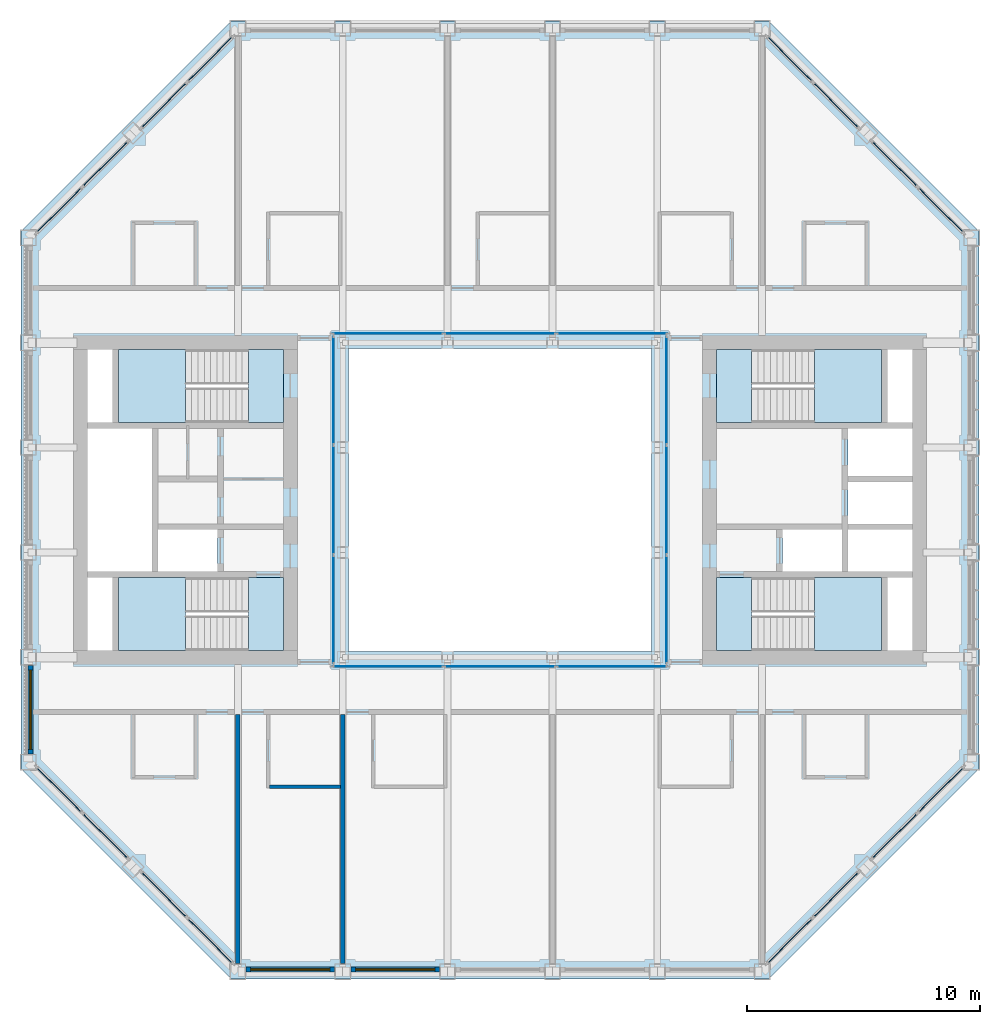
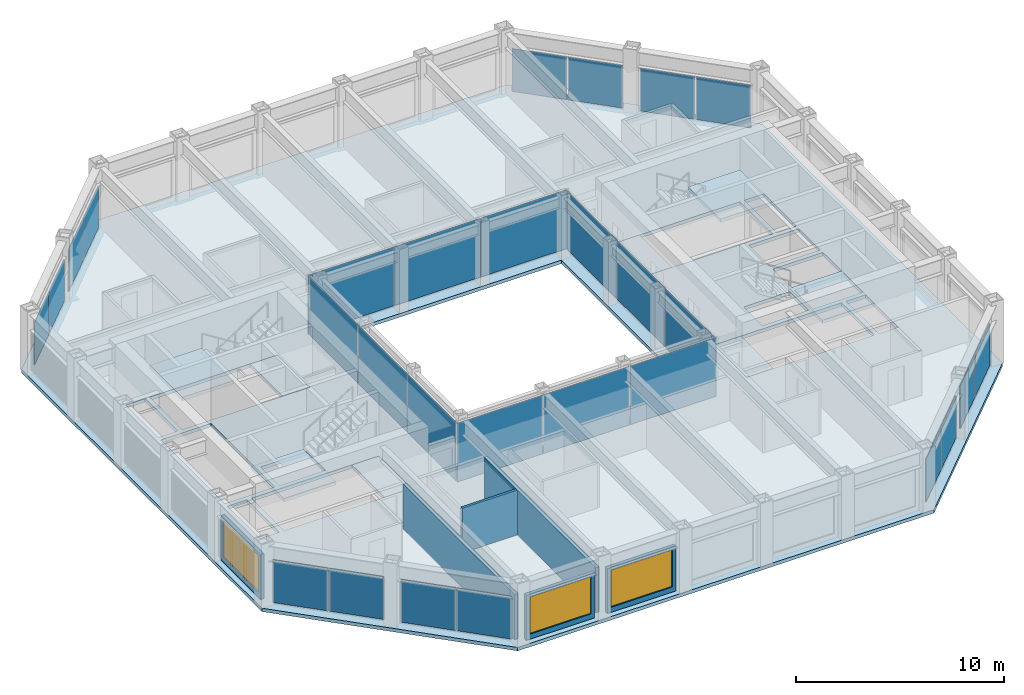
# One storey, part 8 of 16: 28 plates, 9 slabs, 6 walls, 3 windows, 3 openings, 16 elements without a shape of their own.
"""IFC4 building model written with IfcOpenShell, lengths in metres."""

from ifc_helpers import new_model, si_unit, direction, frame, frame_2d, origin, origin_2d, place, context, subcontext, project, spatial, polyline, rectangle, outline, extrude, material, layer, layer_set, type_object, element, fill, aggregate, save


model = new_model("IFC4")

# Units and contexts
model_context = context("Model", 3, precision=1e-05, world=origin(), true_north=direction((0.0, 1.0)))
body_context = subcontext(model_context, "Body", "Model", "MODEL_VIEW")
ifc_project = project(units=[si_unit("LENGTHUNIT", "METRE"), si_unit("AREAUNIT", "SQUARE_METRE"), si_unit("VOLUMEUNIT", "CUBIC_METRE"), si_unit("PLANEANGLEUNIT", "RADIAN"), si_unit("MASSUNIT", "GRAM", prefix="KILO")], contexts=[model_context])

# Site, building, storey
site_placement = place(None, origin())
site = spatial("IfcSite", under=ifc_project, at=site_placement, CompositionType="ELEMENT")
building_placement = place(site_placement, origin())
building = spatial("IfcBuilding", under=site, at=building_placement, Name="Msasa Ring Tower", CompositionType="ELEMENT")
storey_placement = place(building_placement, frame((0.0, 0.0, 219.550048828125)))
storey = spatial("IfcBuildingStorey", under=building, at=storey_placement, Name="L57", CompositionType="ELEMENT", Elevation=219.550048828125)

# Curtain wall, plates
ifc_material_1 = material(Name="Aluminium curtain wall with clear glass", Category="aluminium")
curtain_wall_type_1 = type_object("IfcCurtainWallType", Name="CW-C CHAMFER CORNER CURTAIN WALL", PredefinedType="NOTDEFINED", material=ifc_material_1)
curtain_wall_1_placement = place(storey_placement, origin())
curtain_wall_1 = element("IfcCurtainWall", 1, at=curtain_wall_1_placement, inside=storey, type_object=curtain_wall_type_1, Name="Chamfer corner curtain wall SE L57", PredefinedType="NOTDEFINED")
ifc_material_2 = material(Name="Clear laminated insulating glass unit", Category="glass")
ifc_layer_1 = layer(ifc_material_2, 0.031982421875)
ifc_layer_set_1 = layer_set([ifc_layer_1], Name="CW-C GLASS PANEL 32")
plate_type_1 = type_object("IfcPlateType", Name="CW-C GLASS PANEL 32", PredefinedType="CURTAIN_PANEL", material=ifc_layer_set_1)
plate_1_placement = place(storey_placement, frame((12.44140625, -18.917236328125, 0.06494140625), z_axis=(0.0, 0.0, 1.0), x_axis=(0.707106781187, 0.707106781187, 0.0)))
plate_1 = element("IfcPlate", 2, at=plate_1_placement, type_object=plate_type_1, Name="CW-C panel 1.1", PredefinedType="CURTAIN_PANEL", context=body_context, shape_type="SweptSolid", body=[
    extrude(rectangle(XDim=2.7294921875, YDim=0.031982421875, at=origin_2d()), origin(), (0.0, 0.0, 1.0), 2.4990234375),
])
plate_2_placement = place(storey_placement, frame((14.417236328125, -16.94140625, 0.06494140625), z_axis=(0.0, 0.0, 1.0), x_axis=(0.707106781187, 0.707106781187, 0.0)))
plate_2 = element("IfcPlate", 3, at=plate_2_placement, type_object=plate_type_1, Name="CW-C panel 2.1", PredefinedType="CURTAIN_PANEL", context=body_context, shape_type="SweptSolid", body=[
    extrude(rectangle(XDim=2.7294921875, YDim=0.031982421875, at=origin_2d()), origin(), (0.0, 0.0, 1.0), 2.4990234375),
])
aggregate(curtain_wall_1, [plate_1, plate_2])

curtain_wall_2_placement = place(storey_placement, origin())
curtain_wall_2 = element("IfcCurtainWall", 4, at=curtain_wall_2_placement, inside=storey, type_object=curtain_wall_type_1, Name="Chamfer corner curtain wall SE L57", PredefinedType="NOTDEFINED")
plate_3_placement = place(storey_placement, frame((16.94140625, -14.417236328125, 0.06494140625), z_axis=(0.0, 0.0, 1.0), x_axis=(0.707106781187, 0.707106781187, 0.0)))
plate_3 = element("IfcPlate", 5, at=plate_3_placement, type_object=plate_type_1, Name="CW-C panel 1.1", PredefinedType="CURTAIN_PANEL", context=body_context, shape_type="SweptSolid", body=[
    extrude(rectangle(XDim=2.7294921875, YDim=0.031982421875, at=origin_2d()), origin(), (0.0, 0.0, 1.0), 2.4990234375),
])
plate_4_placement = place(storey_placement, frame((18.917236328125, -12.44140625, 0.06494140625), z_axis=(0.0, 0.0, 1.0), x_axis=(0.707106781187, 0.707106781187, 0.0)))
plate_4 = element("IfcPlate", 6, at=plate_4_placement, type_object=plate_type_1, Name="CW-C panel 2.1", PredefinedType="CURTAIN_PANEL", context=body_context, shape_type="SweptSolid", body=[
    extrude(rectangle(XDim=2.7294921875, YDim=0.031982421875, at=origin_2d()), origin(), (0.0, 0.0, 1.0), 2.4990234375),
])
aggregate(curtain_wall_2, [plate_3, plate_4])

curtain_wall_3_placement = place(storey_placement, origin())
curtain_wall_3 = element("IfcCurtainWall", 7, at=curtain_wall_3_placement, inside=storey, type_object=curtain_wall_type_1, Name="Chamfer corner curtain wall NE L57", PredefinedType="NOTDEFINED")
plate_5_placement = place(storey_placement, frame((14.417236328125, 16.94140625, 0.06494140625), z_axis=(0.0, 0.0, 1.0), x_axis=(-0.707106781187, 0.707106781187, 0.0)))
plate_5 = element("IfcPlate", 8, at=plate_5_placement, type_object=plate_type_1, Name="CW-C panel 1.1", PredefinedType="CURTAIN_PANEL", context=body_context, shape_type="SweptSolid", body=[
    extrude(rectangle(XDim=2.7294921875, YDim=0.031982421875, at=origin_2d()), origin(), (0.0, 0.0, 1.0), 2.4990234375),
])
plate_6_placement = place(storey_placement, frame((12.44140625, 18.917236328125, 0.06494140625), z_axis=(0.0, 0.0, 1.0), x_axis=(-0.707106781187, 0.707106781187, 0.0)))
plate_6 = element("IfcPlate", 9, at=plate_6_placement, type_object=plate_type_1, Name="CW-C panel 2.1", PredefinedType="CURTAIN_PANEL", context=body_context, shape_type="SweptSolid", body=[
    extrude(rectangle(XDim=2.7294921875, YDim=0.031982421875, at=origin_2d()), origin(), (0.0, 0.0, 1.0), 2.4990234375),
])
aggregate(curtain_wall_3, [plate_5, plate_6])

curtain_wall_4_placement = place(storey_placement, origin())
curtain_wall_4 = element("IfcCurtainWall", 10, at=curtain_wall_4_placement, inside=storey, type_object=curtain_wall_type_1, Name="Chamfer corner curtain wall NE L57", PredefinedType="NOTDEFINED")
plate_7_placement = place(storey_placement, frame((18.917236328125, 12.44140625, 0.06494140625), z_axis=(0.0, 0.0, 1.0), x_axis=(-0.707106781187, 0.707106781187, 0.0)))
plate_7 = element("IfcPlate", 11, at=plate_7_placement, type_object=plate_type_1, Name="CW-C panel 1.1", PredefinedType="CURTAIN_PANEL", context=body_context, shape_type="SweptSolid", body=[
    extrude(rectangle(XDim=2.7294921875, YDim=0.031982421875, at=origin_2d()), origin(), (0.0, 0.0, 1.0), 2.4990234375),
])
plate_8_placement = place(storey_placement, frame((16.94140625, 14.417236328125, 0.06494140625), z_axis=(0.0, 0.0, 1.0), x_axis=(-0.707106781187, 0.707106781187, 0.0)))
plate_8 = element("IfcPlate", 12, at=plate_8_placement, type_object=plate_type_1, Name="CW-C panel 2.1", PredefinedType="CURTAIN_PANEL", context=body_context, shape_type="SweptSolid", body=[
    extrude(rectangle(XDim=2.7294921875, YDim=0.031982421875, at=origin_2d()), origin(), (0.0, 0.0, 1.0), 2.4990234375),
])
aggregate(curtain_wall_4, [plate_7, plate_8])

curtain_wall_5_placement = place(storey_placement, origin())
curtain_wall_5 = element("IfcCurtainWall", 13, at=curtain_wall_5_placement, inside=storey, type_object=curtain_wall_type_1, Name="Chamfer corner curtain wall NW L57", PredefinedType="NOTDEFINED")
plate_9_placement = place(storey_placement, frame((-16.94140625, 14.417236328125, 0.06494140625), z_axis=(0.0, 0.0, 1.0), x_axis=(-0.707106781187, -0.707106781187, 0.0)))
plate_9 = element("IfcPlate", 14, at=plate_9_placement, type_object=plate_type_1, Name="CW-C panel 1.1", PredefinedType="CURTAIN_PANEL", context=body_context, shape_type="SweptSolid", body=[
    extrude(rectangle(XDim=2.7294921875, YDim=0.031982421875, at=origin_2d()), origin(), (0.0, 0.0, 1.0), 2.4990234375),
])
plate_10_placement = place(storey_placement, frame((-18.917236328125, 12.44140625, 0.06494140625), z_axis=(0.0, 0.0, 1.0), x_axis=(-0.707106781187, -0.707106781187, 0.0)))
plate_10 = element("IfcPlate", 15, at=plate_10_placement, type_object=plate_type_1, Name="CW-C panel 2.1", PredefinedType="CURTAIN_PANEL", context=body_context, shape_type="SweptSolid", body=[
    extrude(rectangle(XDim=2.7294921875, YDim=0.031982421875, at=origin_2d()), origin(), (0.0, 0.0, 1.0), 2.4990234375),
])
aggregate(curtain_wall_5, [plate_9, plate_10])

curtain_wall_6_placement = place(storey_placement, origin())
curtain_wall_6 = element("IfcCurtainWall", 16, at=curtain_wall_6_placement, inside=storey, type_object=curtain_wall_type_1, Name="Chamfer corner curtain wall NW L57", PredefinedType="NOTDEFINED")
plate_11_placement = place(storey_placement, frame((-12.44140625, 18.917236328125, 0.06494140625), z_axis=(0.0, 0.0, 1.0), x_axis=(-0.707106781187, -0.707106781187, 0.0)))
plate_11 = element("IfcPlate", 17, at=plate_11_placement, type_object=plate_type_1, Name="CW-C panel 1.1", PredefinedType="CURTAIN_PANEL", context=body_context, shape_type="SweptSolid", body=[
    extrude(rectangle(XDim=2.7294921875, YDim=0.031982421875, at=origin_2d()), origin(), (0.0, 0.0, 1.0), 2.4990234375),
])
plate_12_placement = place(storey_placement, frame((-14.417236328125, 16.94140625, 0.06494140625), z_axis=(0.0, 0.0, 1.0), x_axis=(-0.707106781187, -0.707106781187, 0.0)))
plate_12 = element("IfcPlate", 18, at=plate_12_placement, type_object=plate_type_1, Name="CW-C panel 2.1", PredefinedType="CURTAIN_PANEL", context=body_context, shape_type="SweptSolid", body=[
    extrude(rectangle(XDim=2.7294921875, YDim=0.031982421875, at=origin_2d()), origin(), (0.0, 0.0, 1.0), 2.4990234375),
])
aggregate(curtain_wall_6, [plate_11, plate_12])

curtain_wall_7_placement = place(storey_placement, origin())
curtain_wall_7 = element("IfcCurtainWall", 19, at=curtain_wall_7_placement, inside=storey, type_object=curtain_wall_type_1, Name="Chamfer corner curtain wall SW L57", PredefinedType="NOTDEFINED")
plate_13_placement = place(storey_placement, frame((-18.917236328125, -12.44140625, 0.06494140625), z_axis=(0.0, 0.0, 1.0), x_axis=(0.707106781187, -0.707106781187, 0.0)))
plate_13 = element("IfcPlate", 20, at=plate_13_placement, type_object=plate_type_1, Name="CW-C panel 1.1", PredefinedType="CURTAIN_PANEL", context=body_context, shape_type="SweptSolid", body=[
    extrude(rectangle(XDim=2.7294921875, YDim=0.031982421875, at=origin_2d()), origin(), (0.0, 0.0, 1.0), 2.4990234375),
])
plate_14_placement = place(storey_placement, frame((-16.94140625, -14.417236328125, 0.06494140625), z_axis=(0.0, 0.0, 1.0), x_axis=(0.707106781187, -0.707106781187, 0.0)))
plate_14 = element("IfcPlate", 21, at=plate_14_placement, type_object=plate_type_1, Name="CW-C panel 2.1", PredefinedType="CURTAIN_PANEL", context=body_context, shape_type="SweptSolid", body=[
    extrude(rectangle(XDim=2.7294921875, YDim=0.031982421875, at=origin_2d()), origin(), (0.0, 0.0, 1.0), 2.4990234375),
])
aggregate(curtain_wall_7, [plate_13, plate_14])

curtain_wall_8_placement = place(storey_placement, origin())
curtain_wall_8 = element("IfcCurtainWall", 22, at=curtain_wall_8_placement, inside=storey, type_object=curtain_wall_type_1, Name="Chamfer corner curtain wall SW L57", PredefinedType="NOTDEFINED")
plate_15_placement = place(storey_placement, frame((-14.417236328125, -16.94140625, 0.06494140625), z_axis=(0.0, 0.0, 1.0), x_axis=(0.707106781187, -0.707106781187, 0.0)))
plate_15 = element("IfcPlate", 23, at=plate_15_placement, type_object=plate_type_1, Name="CW-C panel 1.1", PredefinedType="CURTAIN_PANEL", context=body_context, shape_type="SweptSolid", body=[
    extrude(rectangle(XDim=2.7294921875, YDim=0.031982421875, at=origin_2d()), origin(), (0.0, 0.0, 1.0), 2.4990234375),
])
plate_16_placement = place(storey_placement, frame((-12.44140625, -18.917236328125, 0.06494140625), z_axis=(0.0, 0.0, 1.0), x_axis=(0.707106781187, -0.707106781187, 0.0)))
plate_16 = element("IfcPlate", 24, at=plate_16_placement, type_object=plate_type_1, Name="CW-C panel 2.1", PredefinedType="CURTAIN_PANEL", context=body_context, shape_type="SweptSolid", body=[
    extrude(rectangle(XDim=2.7294921875, YDim=0.031982421875, at=origin_2d()), origin(), (0.0, 0.0, 1.0), 2.4990234375),
])
aggregate(curtain_wall_8, [plate_15, plate_16])

ifc_material_3 = material(Name="Aluminium curtain wall with clear glass", Category="aluminium")
curtain_wall_type_2 = type_object("IfcCurtainWallType", Name="CW-W LIGHT WELL CURTAIN WALL", PredefinedType="NOTDEFINED", material=ifc_material_3)
curtain_wall_9_placement = place(storey_placement, origin())
curtain_wall_9 = element("IfcCurtainWall", 25, at=curtain_wall_9_placement, inside=storey, type_object=curtain_wall_type_2, Name="Light well curtain wall N L57", PredefinedType="NOTDEFINED")
ifc_material_4 = material(Name="Clear laminated insulating glass unit", Category="glass")
ifc_layer_2 = layer(ifc_material_4, 0.028076171875)
ifc_layer_set_2 = layer_set([ifc_layer_2], Name="CW-W GLASS PANEL 28")
plate_type_2 = type_object("IfcPlateType", Name="CW-W GLASS PANEL 28", PredefinedType="CURTAIN_PANEL", material=ifc_layer_set_2)
plate_17_placement = place(storey_placement, frame((-4.804931640625, 7.14990234375, 0.06005859375), z_axis=(0.0, 0.0, 1.0), x_axis=(1.0, 0.0, 0.0)))
plate_17 = element("IfcPlate", 26, at=plate_17_placement, type_object=plate_type_2, Name="CW-W panel 1.1", PredefinedType="CURTAIN_PANEL", context=body_context, shape_type="SweptSolid", body=[
    extrude(rectangle(XDim=4.72998046875, YDim=0.028076171875, at=origin_2d()), origin(), (0.0, 0.0, 1.0), 3.429931640625),
])
plate_18_placement = place(storey_placement, frame((0.0, 7.14990234375, 0.06005859375), z_axis=(0.0, 0.0, 1.0), x_axis=(1.0, 0.0, 0.0)))
plate_18 = element("IfcPlate", 27, at=plate_18_placement, type_object=plate_type_2, Name="CW-W panel 2.1", PredefinedType="CURTAIN_PANEL", context=body_context, shape_type="SweptSolid", body=[
    extrude(rectangle(XDim=4.760009765625, YDim=0.028076171875, at=origin_2d()), origin(), (0.0, 0.0, 1.0), 3.429931640625),
])
plate_19_placement = place(storey_placement, frame((4.804931640625, 7.14990234375, 0.06005859375), z_axis=(0.0, 0.0, 1.0), x_axis=(1.0, 0.0, 0.0)))
plate_19 = element("IfcPlate", 28, at=plate_19_placement, type_object=plate_type_2, Name="CW-W panel 3.1", PredefinedType="CURTAIN_PANEL", context=body_context, shape_type="SweptSolid", body=[
    extrude(rectangle(XDim=4.72998046875, YDim=0.028076171875, at=origin_2d()), origin(), (0.0, 0.0, 1.0), 3.429931640625),
])
aggregate(curtain_wall_9, [plate_17, plate_18, plate_19])

curtain_wall_10_placement = place(storey_placement, origin())
curtain_wall_10 = element("IfcCurtainWall", 29, at=curtain_wall_10_placement, inside=storey, type_object=curtain_wall_type_2, Name="Light well curtain wall S L57", PredefinedType="NOTDEFINED")
plate_20_placement = place(storey_placement, frame((-4.804931640625, -7.14990234375, 0.06005859375), z_axis=(0.0, 0.0, 1.0), x_axis=(1.0, 0.0, 0.0)))
plate_20 = element("IfcPlate", 30, at=plate_20_placement, type_object=plate_type_2, Name="CW-W panel 1.1", PredefinedType="CURTAIN_PANEL", context=body_context, shape_type="SweptSolid", body=[
    extrude(rectangle(XDim=4.72998046875, YDim=0.028076171875, at=origin_2d()), origin(), (0.0, 0.0, 1.0), 3.429931640625),
])
plate_21_placement = place(storey_placement, frame((0.0, -7.14990234375, 0.06005859375), z_axis=(0.0, 0.0, 1.0), x_axis=(1.0, 0.0, 0.0)))
plate_21 = element("IfcPlate", 31, at=plate_21_placement, type_object=plate_type_2, Name="CW-W panel 2.1", PredefinedType="CURTAIN_PANEL", context=body_context, shape_type="SweptSolid", body=[
    extrude(rectangle(XDim=4.760009765625, YDim=0.028076171875, at=origin_2d()), origin(), (0.0, 0.0, 1.0), 3.429931640625),
])
plate_22_placement = place(storey_placement, frame((4.804931640625, -7.14990234375, 0.06005859375), z_axis=(0.0, 0.0, 1.0), x_axis=(1.0, 0.0, 0.0)))
plate_22 = element("IfcPlate", 32, at=plate_22_placement, type_object=plate_type_2, Name="CW-W panel 3.1", PredefinedType="CURTAIN_PANEL", context=body_context, shape_type="SweptSolid", body=[
    extrude(rectangle(XDim=4.72998046875, YDim=0.028076171875, at=origin_2d()), origin(), (0.0, 0.0, 1.0), 3.429931640625),
])
aggregate(curtain_wall_10, [plate_20, plate_21, plate_22])

curtain_wall_11_placement = place(storey_placement, origin())
curtain_wall_11 = element("IfcCurtainWall", 33, at=curtain_wall_11_placement, inside=storey, type_object=curtain_wall_type_2, Name="Light well curtain wall E L57", PredefinedType="NOTDEFINED")
plate_23_placement = place(storey_placement, frame((7.14990234375, -4.6982421875, 0.06005859375), z_axis=(0.0, 0.0, 1.0), x_axis=(0.0, 1.0, 0.0)))
plate_23 = element("IfcPlate", 34, at=plate_23_placement, type_object=plate_type_2, Name="CW-W panel 1.1", PredefinedType="CURTAIN_PANEL", context=body_context, shape_type="SweptSolid", body=[
    extrude(rectangle(XDim=4.623291015625, YDim=0.028076171875, at=origin_2d()), origin(), (0.0, 0.0, 1.0), 3.429931640625),
])
plate_24_placement = place(storey_placement, frame((7.14990234375, 0.0, 0.06005859375), z_axis=(0.0, 0.0, 1.0), x_axis=(0.0, 1.0, 0.0)))
plate_24 = element("IfcPlate", 35, at=plate_24_placement, type_object=plate_type_2, Name="CW-W panel 2.1", PredefinedType="CURTAIN_PANEL", context=body_context, shape_type="SweptSolid", body=[
    extrude(rectangle(XDim=4.6533203125, YDim=0.028076171875, at=origin_2d()), origin(), (0.0, 0.0, 1.0), 3.429931640625),
])
plate_25_placement = place(storey_placement, frame((7.14990234375, 4.6982421875, 0.06005859375), z_axis=(0.0, 0.0, 1.0), x_axis=(0.0, 1.0, 0.0)))
plate_25 = element("IfcPlate", 36, at=plate_25_placement, type_object=plate_type_2, Name="CW-W panel 3.1", PredefinedType="CURTAIN_PANEL", context=body_context, shape_type="SweptSolid", body=[
    extrude(rectangle(XDim=4.623291015625, YDim=0.028076171875, at=origin_2d()), origin(), (0.0, 0.0, 1.0), 3.429931640625),
])
aggregate(curtain_wall_11, [plate_23, plate_24, plate_25])

curtain_wall_12_placement = place(storey_placement, origin())
curtain_wall_12 = element("IfcCurtainWall", 37, at=curtain_wall_12_placement, inside=storey, type_object=curtain_wall_type_2, Name="Light well curtain wall W L57", PredefinedType="NOTDEFINED")
plate_26_placement = place(storey_placement, frame((-7.14990234375, -4.6982421875, 0.06005859375), z_axis=(0.0, 0.0, 1.0), x_axis=(0.0, 1.0, 0.0)))
plate_26 = element("IfcPlate", 38, at=plate_26_placement, type_object=plate_type_2, Name="CW-W panel 1.1", PredefinedType="CURTAIN_PANEL", context=body_context, shape_type="SweptSolid", body=[
    extrude(rectangle(XDim=4.623291015625, YDim=0.028076171875, at=origin_2d()), origin(), (0.0, 0.0, 1.0), 3.429931640625),
])
plate_27_placement = place(storey_placement, frame((-7.14990234375, 0.0, 0.06005859375), z_axis=(0.0, 0.0, 1.0), x_axis=(0.0, 1.0, 0.0)))
plate_27 = element("IfcPlate", 39, at=plate_27_placement, type_object=plate_type_2, Name="CW-W panel 2.1", PredefinedType="CURTAIN_PANEL", context=body_context, shape_type="SweptSolid", body=[
    extrude(rectangle(XDim=4.6533203125, YDim=0.028076171875, at=origin_2d()), origin(), (0.0, 0.0, 1.0), 3.429931640625),
])
plate_28_placement = place(storey_placement, frame((-7.14990234375, 4.6982421875, 0.06005859375), z_axis=(0.0, 0.0, 1.0), x_axis=(0.0, 1.0, 0.0)))
plate_28 = element("IfcPlate", 40, at=plate_28_placement, type_object=plate_type_2, Name="CW-W panel 3.1", PredefinedType="CURTAIN_PANEL", context=body_context, shape_type="SweptSolid", body=[
    extrude(rectangle(XDim=4.623291015625, YDim=0.028076171875, at=origin_2d()), origin(), (0.0, 0.0, 1.0), 3.429931640625),
])
aggregate(curtain_wall_12, [plate_26, plate_27, plate_28])

# Stair, slabs
ifc_material_5 = material(Name="Concrete C40/50", Category="concrete")
stair_type = type_object("IfcStairType", Name="STC CORE STAIR 22 RISERS 170.5", PredefinedType="HALF_TURN_STAIR", material=ifc_material_5)
stair_1_placement = place(storey_placement, origin())
stair_1 = element("IfcStair", 41, at=stair_1_placement, inside=storey, type_object=stair_type, Name="Core stair SEA L57", PredefinedType="HALF_TURN_STAIR")
ifc_material_6 = material(Name="Concrete C40/50", Category="concrete")
ifc_layer_3 = layer(ifc_material_6, 0.199951171875)
ifc_layer_set_3 = layer_set([ifc_layer_3], Name="LD1 CORE STAIR LANDING 200")
slab_type_1 = type_object("IfcSlabType", Name="LD1 CORE STAIR LANDING 200", PredefinedType="LANDING", material=ifc_layer_set_3)
slab_1_placement = place(storey_placement, frame((0.0, 0.0, -0.199951171875)))
slab_1 = element("IfcSlab", 42, at=slab_1_placement, type_object=slab_type_1, Name="SEA landing 1", PredefinedType="LANDING", context=body_context, shape_type="SweptSolid", body=[
    extrude(outline(polyline([(9.300048828125, -6.449951171875), (10.800048828125, -6.449951171875), (10.800048828125, -3.324951171875), (9.300048828125, -3.324951171875), (9.300048828125, -6.449951171875)])), origin(), (0.0, 0.0, 1.0), 0.199951171875),
])
slab_2_placement = place(storey_placement, frame((0.0, 0.0, 1.675048828125)))
slab_2 = element("IfcSlab", 43, at=slab_2_placement, type_object=slab_type_1, Name="SEA landing 2", PredefinedType="LANDING", context=body_context, shape_type="SweptSolid", body=[
    extrude(outline(polyline([(13.5, -6.449951171875), (16.375, -6.449951171875), (16.375, -3.324951171875), (13.5, -3.324951171875), (13.5, -6.449951171875)])), origin(), (0.0, 0.0, 1.0), 0.199951171875),
])
aggregate(stair_1, [slab_1, slab_2])

stair_2_placement = place(storey_placement, origin())
stair_2 = element("IfcStair", 44, at=stair_2_placement, inside=storey, type_object=stair_type, Name="Core stair SEB L57", PredefinedType="HALF_TURN_STAIR")
slab_3_placement = place(storey_placement, frame((0.0, 0.0, -0.199951171875)))
slab_3 = element("IfcSlab", 45, at=slab_3_placement, type_object=slab_type_1, Name="SEB landing 1", PredefinedType="LANDING", context=body_context, shape_type="SweptSolid", body=[
    extrude(outline(polyline([(9.300048828125, 3.324951171875), (10.800048828125, 3.324951171875), (10.800048828125, 6.449951171875), (9.300048828125, 6.449951171875), (9.300048828125, 3.324951171875)])), origin(), (0.0, 0.0, 1.0), 0.199951171875),
])
slab_4_placement = place(storey_placement, frame((0.0, 0.0, 1.675048828125)))
slab_4 = element("IfcSlab", 46, at=slab_4_placement, type_object=slab_type_1, Name="SEB landing 2", PredefinedType="LANDING", context=body_context, shape_type="SweptSolid", body=[
    extrude(outline(polyline([(13.5, 3.324951171875), (16.375, 3.324951171875), (16.375, 6.449951171875), (13.5, 6.449951171875), (13.5, 3.324951171875)])), origin(), (0.0, 0.0, 1.0), 0.199951171875),
])
aggregate(stair_2, [slab_3, slab_4])

stair_3_placement = place(storey_placement, origin())
stair_3 = element("IfcStair", 47, at=stair_3_placement, inside=storey, type_object=stair_type, Name="Core stair SWA L57", PredefinedType="HALF_TURN_STAIR")
slab_5_placement = place(storey_placement, frame((0.0, 0.0, -0.199951171875)))
slab_5 = element("IfcSlab", 48, at=slab_5_placement, type_object=slab_type_1, Name="SWA landing 1", PredefinedType="LANDING", context=body_context, shape_type="SweptSolid", body=[
    extrude(outline(polyline([(-10.800048828125, -6.449951171875), (-9.300048828125, -6.449951171875), (-9.300048828125, -3.324951171875), (-10.800048828125, -3.324951171875), (-10.800048828125, -6.449951171875)])), origin(), (0.0, 0.0, 1.0), 0.199951171875),
])
slab_6_placement = place(storey_placement, frame((0.0, 0.0, 1.675048828125)))
slab_6 = element("IfcSlab", 49, at=slab_6_placement, type_object=slab_type_1, Name="SWA landing 2", PredefinedType="LANDING", context=body_context, shape_type="SweptSolid", body=[
    extrude(outline(polyline([(-16.375, -6.449951171875), (-13.5, -6.449951171875), (-13.5, -3.324951171875), (-16.375, -3.324951171875), (-16.375, -6.449951171875)])), origin(), (0.0, 0.0, 1.0), 0.199951171875),
])
aggregate(stair_3, [slab_5, slab_6])

stair_4_placement = place(storey_placement, origin())
stair_4 = element("IfcStair", 50, at=stair_4_placement, inside=storey, type_object=stair_type, Name="Core stair SWB L57", PredefinedType="HALF_TURN_STAIR")
slab_7_placement = place(storey_placement, frame((0.0, 0.0, -0.199951171875)))
slab_7 = element("IfcSlab", 51, at=slab_7_placement, type_object=slab_type_1, Name="SWB landing 1", PredefinedType="LANDING", context=body_context, shape_type="SweptSolid", body=[
    extrude(outline(polyline([(-10.800048828125, 3.324951171875), (-9.300048828125, 3.324951171875), (-9.300048828125, 6.449951171875), (-10.800048828125, 6.449951171875), (-10.800048828125, 3.324951171875)])), origin(), (0.0, 0.0, 1.0), 0.199951171875),
])
slab_8_placement = place(storey_placement, frame((0.0, 0.0, 1.675048828125)))
slab_8 = element("IfcSlab", 52, at=slab_8_placement, type_object=slab_type_1, Name="SWB landing 2", PredefinedType="LANDING", context=body_context, shape_type="SweptSolid", body=[
    extrude(outline(polyline([(-16.375, 3.324951171875), (-13.5, 3.324951171875), (-13.5, 6.449951171875), (-16.375, 6.449951171875), (-16.375, 3.324951171875)])), origin(), (0.0, 0.0, 1.0), 0.199951171875),
])
aggregate(stair_4, [slab_7, slab_8])

# Slab
ifc_material_7 = material(Name="Concrete C40/50", Category="concrete")
ifc_layer_4 = layer(ifc_material_7, 0.199951171875)
ifc_layer_set_4 = layer_set([ifc_layer_4], Name="S8 SUITE FLOOR 200")
slab_type_2 = type_object("IfcSlabType", Name="S8 SUITE FLOOR 200", PredefinedType="FLOOR", material=ifc_layer_set_4)
slab_9_placement = place(storey_placement, frame((0.0, 0.0, -0.199951171875)))
element("IfcSlab", 53, at=slab_9_placement, inside=storey, type_object=slab_type_2, Name="Floor slab L57", PredefinedType="FLOOR", context=body_context, shape_type="SweptSolid", body=[
    extrude(outline(polyline([(-11.550048828125, -20.550048828125), (11.550048828125, -20.550048828125), (20.550048828125, -11.550048828125), (20.550048828125, 11.550048828125), (11.550048828125, 20.550048828125), (-11.550048828125, 20.550048828125), (-20.550048828125, 11.550048828125), (-20.550048828125, -11.550048828125), (-11.550048828125, -20.550048828125)]), holes=[polyline([(-6.5, -6.5), (6.5, -6.5), (6.5, 6.5), (-6.5, 6.5), (-6.5, -6.5)]), polyline([(9.300048828125, -6.449951171875), (16.375, -6.449951171875), (16.375, -3.324951171875), (9.300048828125, -3.324951171875), (9.300048828125, -6.449951171875)]), polyline([(9.300048828125, 3.324951171875), (16.375, 3.324951171875), (16.375, 6.449951171875), (9.300048828125, 6.449951171875), (9.300048828125, 3.324951171875)]), polyline([(12.125, -3.074951171875), (14.675048828125, -3.074951171875), (14.675048828125, -1.27490234375), (12.125, -1.27490234375), (12.125, -3.074951171875)]), polyline([(16.625, -6.449951171875), (17.699951171875, -6.449951171875), (17.699951171875, -3.324951171875), (16.625, -3.324951171875), (16.625, -6.449951171875)]), polyline([(16.625, 3.324951171875), (17.699951171875, 3.324951171875), (17.699951171875, 6.449951171875), (16.625, 6.449951171875), (16.625, 3.324951171875)]), polyline([(14.925048828125, -3.074951171875), (17.699951171875, -3.074951171875), (17.699951171875, -1.27490234375), (14.925048828125, -1.27490234375), (14.925048828125, -3.074951171875)]), polyline([(14.925048828125, -1.02490234375), (17.699951171875, -1.02490234375), (17.699951171875, 0.77490234375), (14.925048828125, 0.77490234375), (14.925048828125, -1.02490234375)]), polyline([(14.925048828125, 1.02490234375), (17.699951171875, 1.02490234375), (17.699951171875, 3.074951171875), (14.925048828125, 3.074951171875), (14.925048828125, 1.02490234375)]), polyline([(-16.375, -6.449951171875), (-9.300048828125, -6.449951171875), (-9.300048828125, -3.324951171875), (-16.375, -3.324951171875), (-16.375, -6.449951171875)]), polyline([(-16.375, 3.324951171875), (-9.300048828125, 3.324951171875), (-9.300048828125, 6.449951171875), (-16.375, 6.449951171875), (-16.375, 3.324951171875)]), polyline([(-14.675048828125, -3.074951171875), (-12.125, -3.074951171875), (-12.125, -1.27490234375), (-14.675048828125, -1.27490234375), (-14.675048828125, -3.074951171875)]), polyline([(-17.699951171875, -6.449951171875), (-16.625, -6.449951171875), (-16.625, -3.324951171875), (-17.699951171875, -3.324951171875), (-17.699951171875, -6.449951171875)]), polyline([(-17.699951171875, 3.324951171875), (-16.625, 3.324951171875), (-16.625, 6.449951171875), (-17.699951171875, 6.449951171875), (-17.699951171875, 3.324951171875)]), polyline([(-17.699951171875, -3.074951171875), (-14.925048828125, -3.074951171875), (-14.925048828125, 3.074951171875), (-17.699951171875, 3.074951171875), (-17.699951171875, -3.074951171875)])]), origin(), (0.0, 0.0, 1.0), 0.199951171875),
])

# Wall, opening, window
ifc_material_8 = material(Name="Terracotta rainscreen on blockwork", Category="masonry")
ifc_layer_5 = layer(ifc_material_8, 0.199951171875)
ifc_layer_set_5 = layer_set([ifc_layer_5], Name="FW1 TERRACOTTA-LINED INFILL BAY WALL 200")
wall_type_1 = type_object("IfcWallType", Name="FW1 TERRACOTTA-LINED INFILL BAY WALL 200", PredefinedType="SOLIDWALL", material=ifc_layer_set_5)
wall_1_placement = place(storey_placement, frame((-10.89501953125, -20.14990234375, 0.0), z_axis=(0.0, 0.0, 1.0), x_axis=(1.0, 0.0, 0.0)))
wall_1 = element("IfcWall", 54, at=wall_1_placement, inside=storey, type_object=wall_type_1, Name="Infill bay wall S L57 00", PredefinedType="SOLIDWALL", context=body_context, shape_type="SweptSolid", body=[
    extrude(rectangle(XDim=3.7900390625, YDim=0.199951171875, at=frame_2d((1.89501953125, 0.0))), origin(), (0.0, 0.0, 1.0), 2.62890625),
])
opening_1_placement = place(wall_1_placement, frame((0.195068359375, 0.0, 0.300048828125)))
opening_1 = element("IfcOpeningElement", 55, at=opening_1_placement, cuts=wall_1, Name="Opening WN3", PredefinedType="OPENING", context=body_context, shape_type="SweptSolid", body=[
    extrude(rectangle(XDim=3.39990234375, YDim=2.178955078125, at=frame_2d((1.699951171875, 1.08935546875))), frame((0.0, 0.10986328125, 0.0), z_axis=(0.0, -1.0, 0.0), x_axis=(1.0, 0.0, 0.0)), (0.0, 0.0, 1.0), 0.219970703125),
])
ifc_material_9 = material(Name="Aluminium frame with clear glass", Category="aluminium")
window_type = type_object("IfcWindowType", Name="WN3 SUITE WINDOW 3400x2179", PartitioningType="SINGLE_PANEL", PredefinedType="WINDOW", material=ifc_material_9)
window_1_placement = place(opening_1_placement, origin())
window_1 = element("IfcWindow", 56, at=window_1_placement, inside=storey, type_object=window_type, Name="Window S L57 00", OverallHeight=2.178955078125, OverallWidth=3.39990234375, PartitioningType="SINGLE_PANEL", PredefinedType="WINDOW", context=body_context, shape_type="SweptSolid", body=[
    extrude(rectangle(XDim=3.39990234375, YDim=2.178955078125, at=frame_2d((1.699951171875, 1.08935546875))), frame((0.0, 0.030029296875, 0.0), z_axis=(0.0, -1.0, 0.0), x_axis=(1.0, 0.0, 0.0)), (0.0, 0.0, 1.0), 0.06005859375),
])
fill(opening_1, window_1)

wall_2_placement = place(storey_placement, frame((-6.39501953125, -20.14990234375, 0.0), z_axis=(0.0, 0.0, 1.0), x_axis=(1.0, 0.0, 0.0)))
wall_2 = element("IfcWall", 57, at=wall_2_placement, inside=storey, type_object=wall_type_1, Name="Infill bay wall S L57 01", PredefinedType="SOLIDWALL", context=body_context, shape_type="SweptSolid", body=[
    extrude(rectangle(XDim=3.7900390625, YDim=0.199951171875, at=frame_2d((1.89501953125, 0.0))), origin(), (0.0, 0.0, 1.0), 2.62890625),
])
opening_2_placement = place(wall_2_placement, frame((0.195068359375, 0.0, 0.300048828125)))
opening_2 = element("IfcOpeningElement", 58, at=opening_2_placement, cuts=wall_2, Name="Opening WN3", PredefinedType="OPENING", context=body_context, shape_type="SweptSolid", body=[
    extrude(rectangle(XDim=3.39990234375, YDim=2.178955078125, at=frame_2d((1.699951171875, 1.08935546875))), frame((0.0, 0.10986328125, 0.0), z_axis=(0.0, -1.0, 0.0), x_axis=(1.0, 0.0, 0.0)), (0.0, 0.0, 1.0), 0.219970703125),
])
window_2_placement = place(opening_2_placement, origin())
window_2 = element("IfcWindow", 59, at=window_2_placement, inside=storey, type_object=window_type, Name="Window S L57 01", OverallHeight=2.178955078125, OverallWidth=3.39990234375, PartitioningType="SINGLE_PANEL", PredefinedType="WINDOW", context=body_context, shape_type="SweptSolid", body=[
    extrude(rectangle(XDim=3.39990234375, YDim=2.178955078125, at=frame_2d((1.699951171875, 1.08935546875))), frame((0.0, 0.030029296875, 0.0), z_axis=(0.0, -1.0, 0.0), x_axis=(1.0, 0.0, 0.0)), (0.0, 0.0, 1.0), 0.06005859375),
])
fill(opening_2, window_2)

wall_3_placement = place(storey_placement, frame((-20.14990234375, -10.89501953125, 0.0), z_axis=(0.0, 0.0, 1.0), x_axis=(0.0, 1.0, 0.0)))
wall_3 = element("IfcWall", 60, at=wall_3_placement, inside=storey, type_object=wall_type_1, Name="Infill bay wall W L57 21", PredefinedType="SOLIDWALL", context=body_context, shape_type="SweptSolid", body=[
    extrude(rectangle(XDim=3.7900390625, YDim=0.199951171875, at=frame_2d((1.89501953125, 0.0))), origin(), (0.0, 0.0, 1.0), 2.62890625),
])
opening_3_placement = place(wall_3_placement, frame((0.195068359375, 0.0, 0.300048828125)))
opening_3 = element("IfcOpeningElement", 61, at=opening_3_placement, cuts=wall_3, Name="Opening WN3", PredefinedType="OPENING", context=body_context, shape_type="SweptSolid", body=[
    extrude(rectangle(XDim=3.39990234375, YDim=2.178955078125, at=frame_2d((1.699951171875, 1.08935546875))), frame((0.0, 0.10986328125, 0.0), z_axis=(0.0, -1.0, 0.0), x_axis=(1.0, 0.0, 0.0)), (0.0, 0.0, 1.0), 0.219970703125),
])
window_3_placement = place(opening_3_placement, origin())
window_3 = element("IfcWindow", 62, at=window_3_placement, inside=storey, type_object=window_type, Name="Window W L57 21", OverallHeight=2.178955078125, OverallWidth=3.39990234375, PartitioningType="SINGLE_PANEL", PredefinedType="WINDOW", context=body_context, shape_type="SweptSolid", body=[
    extrude(rectangle(XDim=3.39990234375, YDim=2.178955078125, at=frame_2d((1.699951171875, 1.08935546875))), frame((0.0, 0.030029296875, 0.0), z_axis=(0.0, -1.0, 0.0), x_axis=(1.0, 0.0, 0.0)), (0.0, 0.0, 1.0), 0.06005859375),
])
fill(opening_3, window_3)

# Walls
ifc_material_10 = material(Name="Dense concrete blockwork, plastered both faces", Category="masonry")
ifc_layer_6 = layer(ifc_material_10, 0.25)
ifc_layer_set_6 = layer_set([ifc_layer_6], Name="PT3 APARTMENT SEPARATING WALL 250")
wall_type_2 = type_object("IfcWallType", Name="PT3 APARTMENT SEPARATING WALL 250", PredefinedType="PARTITIONING", material=ifc_layer_set_6)
for number, where, z_axis, x_axis, name in (
    (63, (-11.25, -19.89990234375, 0.0), (0.0, 0.0, 1.0), (0.0, 1.0, 0.0), "Party wall L57-PWS-11.25"),
    (64, (-6.75, -19.89990234375, 0.0), (0.0, 0.0, 1.0), (0.0, 1.0, 0.0), "Party wall L57-PWS-6.75"),
):
    element("IfcWall", number, at=place(storey_placement, frame(where, z_axis=z_axis, x_axis=x_axis)), inside=storey, type_object=wall_type_2, Name=name, PredefinedType="PARTITIONING", context=body_context, shape_type="SweptSolid", body=[
        extrude(rectangle(XDim=10.699951171875, YDim=0.199951171875, at=frame_2d((5.35009765625, 0.0))), origin(), (0.0, 0.0, 1.0), 2.62890625),
    ])
ifc_material_11 = material(Name="Moisture-resistant board on steel studs with a concealed cistern and pipe void, tiled", Category="steel")
ifc_layer_7 = layer(ifc_material_11, 0.14990234375)
ifc_layer_set_7 = layer_set([ifc_layer_7], Name="PT4 BATHROOM WET WALL 150")
wall_type_3 = type_object("IfcWallType", Name="PT4 BATHROOM WET WALL 150", PredefinedType="PARTITIONING", material=ifc_layer_set_7)
wall_4_placement = place(storey_placement, frame((-9.89990234375, -12.300048828125, 0.0), z_axis=(0.0, 0.0, 1.0), x_axis=(1.0, 0.0, 0.0)))
element("IfcWall", 65, at=wall_4_placement, inside=storey, type_object=wall_type_3, Name="Partition L57-JS00BY", PredefinedType="PARTITIONING", context=body_context, shape_type="SweptSolid", body=[
    extrude(rectangle(XDim=3.0498046875, YDim=0.14990234375, at=frame_2d((1.52490234375, 0.0))), origin(), (0.0, 0.0, 1.0), 2.62890625),
])

save(model, "model.ifc")
